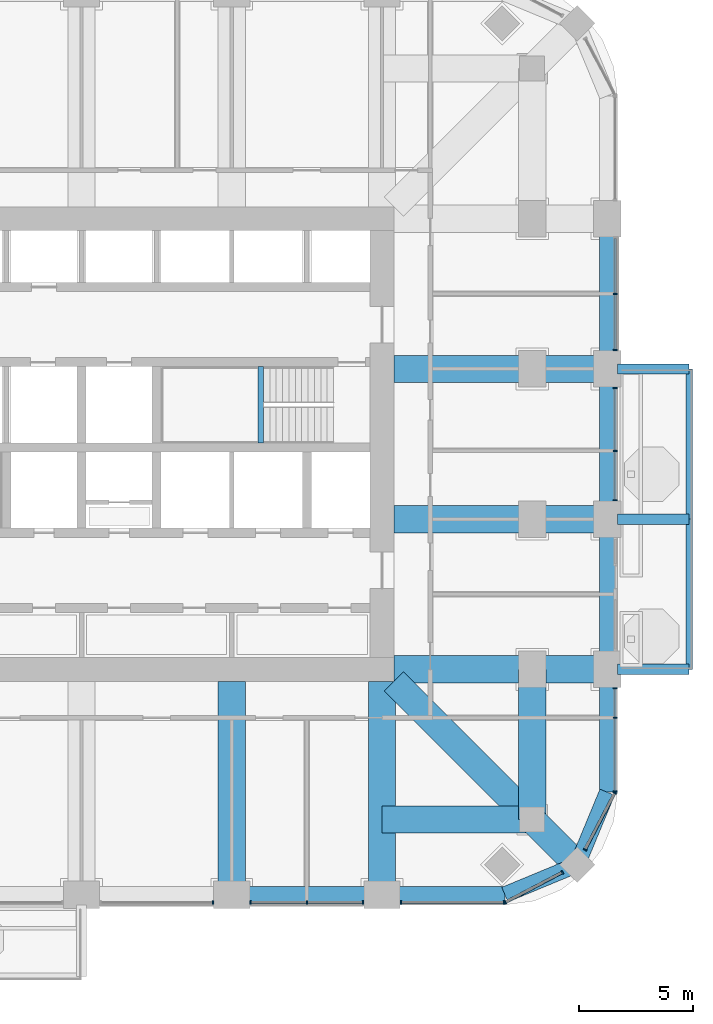
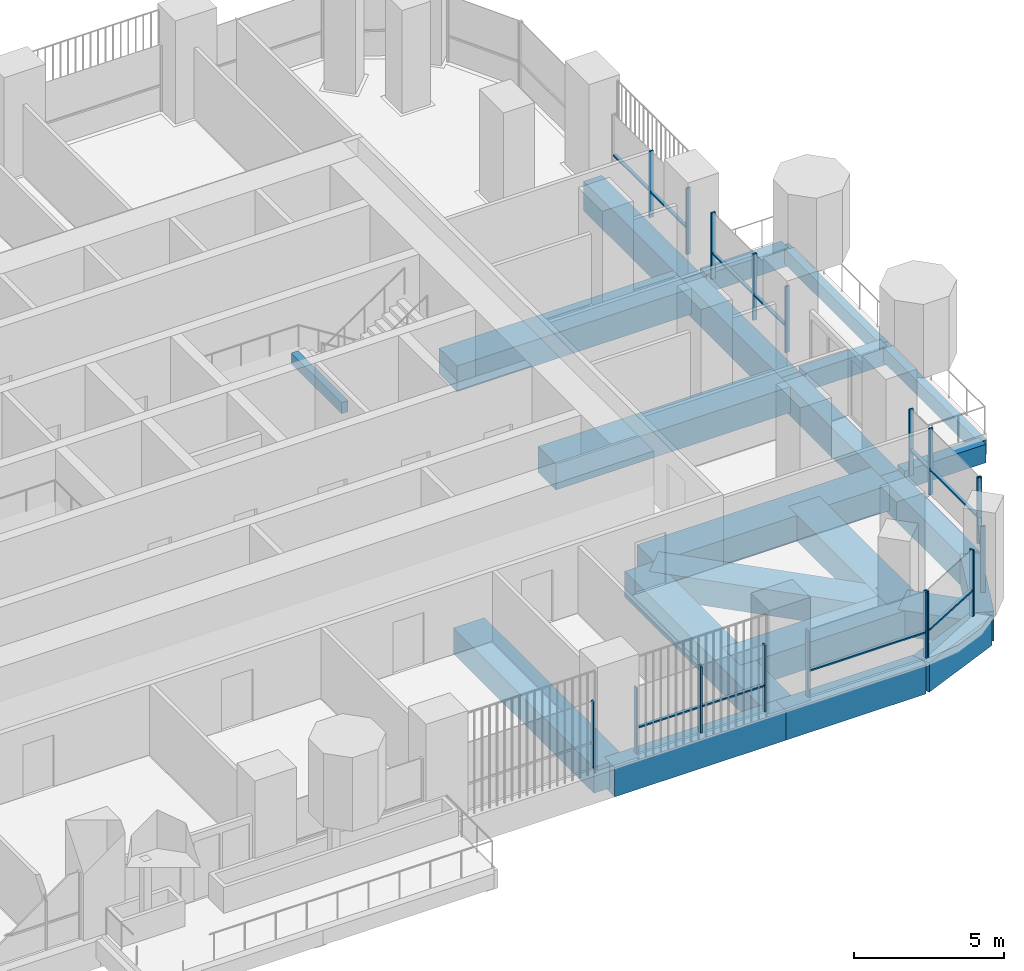
# One storey, part 5 of 20: 29 members, 23 beams, 8 elements without a shape of their own.
"""IFC4 building model written with IfcOpenShell, lengths in metres."""

from ifc_helpers import new_model, si_unit, direction, frame, origin, origin_2d, place, context, subcontext, project, spatial, rectangle, extrude, material, material_profile, profile_set, type_object, element, aggregate, save


model = new_model("IFC4")

# Units and contexts
model_context = context("Model", 3, precision=1e-05, world=origin(), true_north=direction((0.0, 1.0)))
body_context = subcontext(model_context, "Body", "Model", "MODEL_VIEW")
ifc_project = project(units=[si_unit("LENGTHUNIT", "METRE"), si_unit("AREAUNIT", "SQUARE_METRE"), si_unit("VOLUMEUNIT", "CUBIC_METRE"), si_unit("PLANEANGLEUNIT", "RADIAN"), si_unit("MASSUNIT", "GRAM", prefix="KILO")], contexts=[model_context])

# Site, building, storey
site_placement = place(None, origin())
site = spatial("IfcSite", under=ifc_project, at=site_placement, CompositionType="ELEMENT")
building_placement = place(site_placement, origin())
building = spatial("IfcBuilding", under=site, at=building_placement, Name="Cobogo Forest Laboratory Tower", CompositionType="ELEMENT")
storey_placement = place(building_placement, frame((0.0, 0.0, 185.10009765625)))
storey = spatial("IfcBuildingStorey", under=building, at=storey_placement, Name="L42", CompositionType="ELEMENT", Elevation=185.10009765625)

# Beams
ifc_material_1 = material(Name="Concrete HA-40 (C40/50)", Category="concrete")
ifc_material_profile_1 = material_profile(ifc_material_1, rectangle(XDim=0.449951171875, YDim=0.75, at=origin_2d()), Name="RC 450x750")
ifc_profile_set_1 = profile_set([ifc_material_profile_1], Name="Concrete HA-40 (C40/50)")
beam_type_1 = type_object("IfcBeamType", Name="Balcony cantilever beam 450x750", PredefinedType="BEAM", material=ifc_profile_set_1)
for number, where, z_axis, x_axis, name in (
    (1, (49.949951171875, 13.199951171875, -0.625), (1.0, 0.0, 0.0), (0.0, 1.0, 0.0), "CB1 BAL-E1-C1 L42"),
    (2, (49.949951171875, 19.800048828125, -0.625), (1.0, 0.0, 0.0), (0.0, 1.0, 0.0), "CB1 BAL-E1-C2 L42"),
    (3, (49.949951171875, 26.39990234375, -0.625), (1.0, 0.0, 0.0), (0.0, 1.0, 0.0), "CB1 BAL-E1-C3 L42"),
):
    element("IfcBeam", number, at=place(storey_placement, frame(where, z_axis=z_axis, x_axis=x_axis)), inside=storey, type_object=beam_type_1, Name=name, PredefinedType="BEAM", context=body_context, shape_type="SweptSolid", body=[
        extrude(rectangle(XDim=0.449951171875, YDim=0.75, at=origin_2d()), origin(), (0.0, 0.0, 1.0), 3.150146484375),
    ])
ifc_material_profile_2 = material_profile(ifc_material_1, rectangle(XDim=0.300048828125, YDim=0.60009765625, at=origin_2d()), Name="RC 300x600")
ifc_profile_set_2 = profile_set([ifc_material_profile_2], Name="Concrete HA-40 (C40/50)")
beam_type_2 = type_object("IfcBeamType", Name="Balcony edge beam 300x600", PredefinedType="BEAM", material=ifc_profile_set_2)
beam_1_placement = place(storey_placement, frame((53.10009765625, 13.199951171875, -0.550048828125), z_axis=(0.0, 1.0, 0.0), x_axis=(-1.0, 0.0, 0.0)))
element("IfcBeam", 4, at=beam_1_placement, inside=storey, type_object=beam_type_2, Name="BB1 BAL-E1-T1 L42", PredefinedType="BEAM", context=body_context, shape_type="SweptSolid", body=[
    extrude(rectangle(XDim=0.300048828125, YDim=0.60009765625, at=origin_2d()), origin(), (0.0, 0.0, 1.0), 6.60009765625),
])
beam_2_placement = place(storey_placement, frame((53.10009765625, 19.800048828125, -0.550048828125), z_axis=(0.0, 1.0, 0.0), x_axis=(-1.0, 0.0, 0.0)))
element("IfcBeam", 5, at=beam_2_placement, inside=storey, type_object=beam_type_2, Name="BB1 BAL-E1-T2 L42", PredefinedType="BEAM", context=body_context, shape_type="SweptSolid", body=[
    extrude(rectangle(XDim=0.300048828125, YDim=0.60009765625, at=origin_2d()), origin(), (0.0, 0.0, 1.0), 6.599853515625),
])
ifc_material_profile_3 = material_profile(ifc_material_1, rectangle(XDim=0.25, YDim=0.449951171875, at=origin_2d()), Name="RC 250x450")
ifc_profile_set_3 = profile_set([ifc_material_profile_3], Name="Concrete HA-40 (C40/50)")
beam_type_3 = type_object("IfcBeamType", Name="LB1 landing beam 250x450", PredefinedType="BEAM", material=ifc_profile_set_3)
beam_3_placement = place(storey_placement, frame((34.27001953125, 23.14990234375, 1.6748046875), z_axis=(0.0, 1.0, 0.0), x_axis=(-1.0, 0.0, 0.0)))
element("IfcBeam", 6, at=beam_3_placement, inside=storey, type_object=beam_type_3, Name="Landing beam ST2 L42", PredefinedType="BEAM", context=body_context, shape_type="SweptSolid", body=[
    extrude(rectangle(XDim=0.25, YDim=0.449951171875, at=origin_2d()), origin(), (0.0, 0.0, 1.0), 3.35009765625),
])
ifc_material_profile_4 = material_profile(ifc_material_1, rectangle(XDim=1.199951171875, YDim=1.050048828125, at=origin_2d()), Name="RC 1200x1050")
ifc_profile_set_4 = profile_set([ifc_material_profile_4], Name="Concrete HA-40 (C40/50)")
beam_type_4 = type_object("IfcBeamType", Name="Laboratory floor wide beam 1200x1050", PredefinedType="BEAM", material=ifc_profile_set_4)
for number, where, z_axis, x_axis, name in (
    (7, (33.0, 12.675048828125, -0.8251953125), (0.0, -1.0, 0.0), (1.0, 0.0, 0.0), "RB1 R-6-S L42"),
    (8, (39.60009765625, 12.675048828125, -0.8251953125), (0.0, -1.0, 0.0), (1.0, 0.0, 0.0), "RB1 R-7-S L42"),
    (9, (40.125, 13.199951171875, -0.8251953125), (1.0, 0.0, 0.0), (0.0, 1.0, 0.0), "RB1 R-C-E L42"),
    (10, (40.125, 19.800048828125, -0.8251953125), (1.0, 0.0, 0.0), (0.0, 1.0, 0.0), "RB1 R-D-E L42"),
    (11, (40.125, 26.39990234375, -0.8251953125), (1.0, 0.0, 0.0), (0.0, 1.0, 0.0), "RB1 R-E-E L42"),
):
    element("IfcBeam", number, at=place(storey_placement, frame(where, z_axis=z_axis, x_axis=x_axis)), inside=storey, type_object=beam_type_4, Name=name, PredefinedType="BEAM", context=body_context, shape_type="SweptSolid", body=[
        extrude(rectangle(XDim=1.199951171875, YDim=1.050048828125, at=origin_2d()), origin(), (0.0, 0.0, 1.0), 9.375),
    ])
for number, where, z_axis, x_axis, name in (
    (12, (46.199951171875, 6.60009765625, -0.8251953125), (0.0, 1.0, 0.0), (-1.0, 0.0, 0.0), "RB1 G-SE-XC L42"),
    (13, (46.199951171875, 6.60009765625, -0.8251953125), (-1.0, 0.0, 0.0), (0.0, -1.0, 0.0), "RB1 G-SE-YC L42"),
):
    element("IfcBeam", number, at=place(storey_placement, frame(where, z_axis=z_axis, x_axis=x_axis)), inside=storey, type_object=beam_type_4, Name=name, PredefinedType="BEAM", context=body_context, shape_type="SweptSolid", body=[
        extrude(rectangle(XDim=1.199951171875, YDim=1.050048828125, at=origin_2d()), origin(), (0.0, 0.0, 1.0), 6.599853515625),
    ])
beam_4_placement = place(storey_placement, frame((48.181884765625, 4.617919921875, -0.8251953125), z_axis=(-0.707063230743, 0.707150328948, 0.0), x_axis=(-0.707150328948, -0.707063230743, 0.0)))
element("IfcBeam", 14, at=beam_4_placement, inside=storey, type_object=beam_type_4, Name="RB1 G-SE-D1 L42", PredefinedType="BEAM", context=body_context, shape_type="SweptSolid", body=[
    extrude(rectangle(XDim=1.199951171875, YDim=1.050048828125, at=origin_2d()), origin(), (0.0, 0.0, 1.0), 2.802978515625),
])
beam_5_placement = place(storey_placement, frame((46.199951171875, 6.60009765625, -0.8251953125), z_axis=(-0.707106781187, 0.707106781187, 0.0), x_axis=(-0.707106781187, -0.707106781187, 0.0)))
element("IfcBeam", 15, at=beam_5_placement, inside=storey, type_object=beam_type_4, Name="RB1 G-SE-D2 L42", PredefinedType="BEAM", context=body_context, shape_type="SweptSolid", body=[
    extrude(rectangle(XDim=1.199951171875, YDim=1.050048828125, at=origin_2d()), origin(), (0.0, 0.0, 1.0), 8.59130859375),
])

# Curtain wall, member
ifc_material_2 = material(Name="Aluminium curtain wall", Category="aluminium")
curtain_wall_type = type_object("IfcCurtainWallType", Name="CW-2 unitised curtain wall, solar control glazing, laboratory floors zones C and D", PredefinedType="USERDEFINED", material=ifc_material_2)
curtain_wall_1_placement = place(storey_placement, origin())
curtain_wall_1 = element("IfcCurtainWall", 16, at=curtain_wall_1_placement, inside=storey, type_object=curtain_wall_type, Name="Curtain wall 04 L42", ObjectType="UNITISED CURTAIN WALL", PredefinedType="USERDEFINED")
ifc_material_3 = material(Name="Aluminium mullion", Category="aluminium")
ifc_material_profile_5 = material_profile(ifc_material_3, rectangle(XDim=0.06005859375, YDim=0.159912109375, at=origin_2d()), Name="AL 60x160")
ifc_profile_set_5 = profile_set([ifc_material_profile_5], Name="Aluminium mullion")
member_type_1 = type_object("IfcMemberType", Name="MU-1 aluminium mullion 60x160", PredefinedType="MULLION", material=ifc_profile_set_5)
member_1_placement = place(storey_placement, frame((32.169921875, 2.949951171875, 0.0), z_axis=(0.0, 0.0, 1.0), x_axis=(1.0, 0.0, 0.0)))
member_1 = element("IfcMember", 17, at=member_1_placement, type_object=member_type_1, Name="CW-2 mullion 2", PredefinedType="MULLION", context=body_context, shape_type="SweptSolid", body=[
    extrude(rectangle(XDim=0.06005859375, YDim=0.159912109375, at=origin_2d()), origin(), (0.0, 0.0, 1.0), 2.699951171875),
])
aggregate(curtain_wall_1, [member_1])

# Curtain wall, members
curtain_wall_2_placement = place(storey_placement, origin())
curtain_wall_2 = element("IfcCurtainWall", 18, at=curtain_wall_2_placement, inside=storey, type_object=curtain_wall_type, Name="Curtain wall 05 L42", ObjectType="UNITISED CURTAIN WALL", PredefinedType="USERDEFINED")
member_2_placement = place(storey_placement, frame((33.830078125, 2.949951171875, 0.0), z_axis=(0.0, 0.0, 1.0), x_axis=(1.0, 0.0, 0.0)))
member_2 = element("IfcMember", 19, at=member_2_placement, type_object=member_type_1, Name="CW-2 mullion 1", PredefinedType="MULLION", context=body_context, shape_type="SweptSolid", body=[
    extrude(rectangle(XDim=0.06005859375, YDim=0.159912109375, at=origin_2d()), origin(), (0.0, 0.0, 1.0), 2.699951171875),
])
member_3_placement = place(storey_placement, frame((36.300048828125, 2.949951171875, 0.0), z_axis=(0.0, 0.0, 1.0), x_axis=(1.0, 0.0, 0.0)))
member_3 = element("IfcMember", 20, at=member_3_placement, type_object=member_type_1, Name="CW-2 mullion 2", PredefinedType="MULLION", context=body_context, shape_type="SweptSolid", body=[
    extrude(rectangle(XDim=0.06005859375, YDim=0.159912109375, at=origin_2d()), origin(), (0.0, 0.0, 1.0), 2.699951171875),
])
member_4_placement = place(storey_placement, frame((38.77001953125, 2.949951171875, 0.0), z_axis=(0.0, 0.0, 1.0), x_axis=(1.0, 0.0, 0.0)))
member_4 = element("IfcMember", 21, at=member_4_placement, type_object=member_type_1, Name="CW-2 mullion 3", PredefinedType="MULLION", context=body_context, shape_type="SweptSolid", body=[
    extrude(rectangle(XDim=0.06005859375, YDim=0.159912109375, at=origin_2d()), origin(), (0.0, 0.0, 1.0), 2.699951171875),
])

curtain_wall_3_placement = place(storey_placement, origin())
curtain_wall_3 = element("IfcCurtainWall", 22, at=curtain_wall_3_placement, inside=storey, type_object=curtain_wall_type, Name="Curtain wall 06 L42", ObjectType="UNITISED CURTAIN WALL", PredefinedType="USERDEFINED")
member_5_placement = place(storey_placement, frame((40.429931640625, 2.949951171875, 0.0), z_axis=(0.0, 0.0, 1.0), x_axis=(1.0, 0.0, 0.0)))
member_5 = element("IfcMember", 23, at=member_5_placement, type_object=member_type_1, Name="CW-2 mullion 1", PredefinedType="MULLION", context=body_context, shape_type="SweptSolid", body=[
    extrude(rectangle(XDim=0.06005859375, YDim=0.159912109375, at=origin_2d()), origin(), (0.0, 0.0, 1.0), 2.699951171875),
])
member_6_placement = place(storey_placement, frame((44.969970703125, 2.949951171875, 0.0), z_axis=(0.0, 0.0, 1.0), x_axis=(1.0, 0.0, 0.0)))
member_6 = element("IfcMember", 24, at=member_6_placement, type_object=member_type_1, Name="CW-2 mullion 2", PredefinedType="MULLION", context=body_context, shape_type="SweptSolid", body=[
    extrude(rectangle(XDim=0.06005859375, YDim=0.159912109375, at=origin_2d()), origin(), (0.0, 0.0, 1.0), 2.699951171875),
])

curtain_wall_4_placement = place(storey_placement, origin())
curtain_wall_4 = element("IfcCurtainWall", 25, at=curtain_wall_4_placement, inside=storey, type_object=curtain_wall_type, Name="Curtain wall 07 L42", ObjectType="UNITISED CURTAIN WALL", PredefinedType="USERDEFINED")
member_7_placement = place(storey_placement, frame((45.026611328125, 2.9638671875, 0.0), z_axis=(0.0, 0.0, 1.0), x_axis=(0.885686484356, 0.464283804832, 0.0)))
member_7 = element("IfcMember", 26, at=member_7_placement, type_object=member_type_1, Name="CW-2 mullion 1", PredefinedType="MULLION", context=body_context, shape_type="SweptSolid", body=[
    extrude(rectangle(XDim=0.06005859375, YDim=0.159912109375, at=origin_2d()), origin(), (0.0, 0.0, 1.0), 2.699951171875),
])
member_8_placement = place(storey_placement, frame((47.5244140625, 4.2734375, 0.0), z_axis=(0.0, 0.0, 1.0), x_axis=(0.885686484356, 0.464283804832, 0.0)))
member_8 = element("IfcMember", 27, at=member_8_placement, type_object=member_type_1, Name="CW-2 mullion 2", PredefinedType="MULLION", context=body_context, shape_type="SweptSolid", body=[
    extrude(rectangle(XDim=0.06005859375, YDim=0.159912109375, at=origin_2d()), origin(), (0.0, 0.0, 1.0), 2.699951171875),
])

curtain_wall_5_placement = place(storey_placement, origin())
curtain_wall_5 = element("IfcCurtainWall", 28, at=curtain_wall_5_placement, inside=storey, type_object=curtain_wall_type, Name="Curtain wall 08 L42", ObjectType="UNITISED CURTAIN WALL", PredefinedType="USERDEFINED")
member_9_placement = place(storey_placement, frame((48.526611328125, 5.275634765625, 0.0), z_axis=(0.0, 0.0, 1.0), x_axis=(0.464283804832, 0.885686484356, 0.0)))
member_9 = element("IfcMember", 29, at=member_9_placement, type_object=member_type_1, Name="CW-2 mullion 1", PredefinedType="MULLION", context=body_context, shape_type="SweptSolid", body=[
    extrude(rectangle(XDim=0.06005859375, YDim=0.159912109375, at=origin_2d()), origin(), (0.0, 0.0, 1.0), 2.699951171875),
])
member_10_placement = place(storey_placement, frame((49.836181640625, 7.7734375, 0.0), z_axis=(0.0, 0.0, 1.0), x_axis=(0.464283804832, 0.885686484356, 0.0)))
member_10 = element("IfcMember", 30, at=member_10_placement, type_object=member_type_1, Name="CW-2 mullion 2", PredefinedType="MULLION", context=body_context, shape_type="SweptSolid", body=[
    extrude(rectangle(XDim=0.06005859375, YDim=0.159912109375, at=origin_2d()), origin(), (0.0, 0.0, 1.0), 2.699951171875),
])

curtain_wall_6_placement = place(storey_placement, origin())
curtain_wall_6 = element("IfcCurtainWall", 31, at=curtain_wall_6_placement, inside=storey, type_object=curtain_wall_type, Name="Curtain wall 09 L42", ObjectType="UNITISED CURTAIN WALL", PredefinedType="USERDEFINED")
member_11_placement = place(storey_placement, frame((49.85009765625, 7.830078125, 0.0), z_axis=(0.0, 0.0, 1.0), x_axis=(0.0, 1.0, 0.0)))
member_11 = element("IfcMember", 32, at=member_11_placement, type_object=member_type_1, Name="CW-2 mullion 1", PredefinedType="MULLION", context=body_context, shape_type="SweptSolid", body=[
    extrude(rectangle(XDim=0.06005859375, YDim=0.159912109375, at=origin_2d()), origin(), (0.0, 0.0, 1.0), 2.699951171875),
])
member_12_placement = place(storey_placement, frame((49.85009765625, 11.074951171875, 0.0), z_axis=(0.0, 0.0, 1.0), x_axis=(0.0, 1.0, 0.0)))
member_12 = element("IfcMember", 33, at=member_12_placement, type_object=member_type_1, Name="CW-2 mullion 2", PredefinedType="MULLION", context=body_context, shape_type="SweptSolid", body=[
    extrude(rectangle(XDim=0.06005859375, YDim=0.159912109375, at=origin_2d()), origin(), (0.0, 0.0, 1.0), 2.699951171875),
])
member_13_placement = place(storey_placement, frame((49.85009765625, 12.3701171875, 0.0), z_axis=(0.0, 0.0, 1.0), x_axis=(0.0, 1.0, 0.0)))
member_13 = element("IfcMember", 34, at=member_13_placement, type_object=member_type_1, Name="CW-2 mullion 3", PredefinedType="MULLION", context=body_context, shape_type="SweptSolid", body=[
    extrude(rectangle(XDim=0.06005859375, YDim=0.159912109375, at=origin_2d()), origin(), (0.0, 0.0, 1.0), 2.699951171875),
])

curtain_wall_7_placement = place(storey_placement, origin())
curtain_wall_7 = element("IfcCurtainWall", 35, at=curtain_wall_7_placement, inside=storey, type_object=curtain_wall_type, Name="Curtain wall 11 L42", ObjectType="UNITISED CURTAIN WALL", PredefinedType="USERDEFINED")
member_14_placement = place(storey_placement, frame((49.85009765625, 20.6298828125, 0.0), z_axis=(0.0, 0.0, 1.0), x_axis=(0.0, 1.0, 0.0)))
member_14 = element("IfcMember", 36, at=member_14_placement, type_object=member_type_1, Name="CW-2 mullion 1", PredefinedType="MULLION", context=body_context, shape_type="SweptSolid", body=[
    extrude(rectangle(XDim=0.06005859375, YDim=0.159912109375, at=origin_2d()), origin(), (0.0, 0.0, 1.0), 2.699951171875),
])
member_15_placement = place(storey_placement, frame((49.85009765625, 22.800048828125, 0.0), z_axis=(0.0, 0.0, 1.0), x_axis=(0.0, 1.0, 0.0)))
member_15 = element("IfcMember", 37, at=member_15_placement, type_object=member_type_1, Name="CW-2 mullion 2", PredefinedType="MULLION", context=body_context, shape_type="SweptSolid", body=[
    extrude(rectangle(XDim=0.06005859375, YDim=0.159912109375, at=origin_2d()), origin(), (0.0, 0.0, 1.0), 2.699951171875),
])
member_16_placement = place(storey_placement, frame((49.85009765625, 25.570068359375, 0.0), z_axis=(0.0, 0.0, 1.0), x_axis=(0.0, 1.0, 0.0)))
member_16 = element("IfcMember", 38, at=member_16_placement, type_object=member_type_1, Name="CW-2 mullion 3", PredefinedType="MULLION", context=body_context, shape_type="SweptSolid", body=[
    extrude(rectangle(XDim=0.06005859375, YDim=0.159912109375, at=origin_2d()), origin(), (0.0, 0.0, 1.0), 2.699951171875),
])

curtain_wall_8_placement = place(storey_placement, origin())
curtain_wall_8 = element("IfcCurtainWall", 39, at=curtain_wall_8_placement, inside=storey, type_object=curtain_wall_type, Name="Curtain wall 12 L42", ObjectType="UNITISED CURTAIN WALL", PredefinedType="USERDEFINED")
member_17_placement = place(storey_placement, frame((49.85009765625, 27.22998046875, 0.0), z_axis=(0.0, 0.0, 1.0), x_axis=(0.0, 1.0, 0.0)))
member_17 = element("IfcMember", 40, at=member_17_placement, type_object=member_type_1, Name="CW-2 mullion 1", PredefinedType="MULLION", context=body_context, shape_type="SweptSolid", body=[
    extrude(rectangle(XDim=0.06005859375, YDim=0.159912109375, at=origin_2d()), origin(), (0.0, 0.0, 1.0), 2.699951171875),
])
member_18_placement = place(storey_placement, frame((49.85009765625, 29.699951171875, 0.0), z_axis=(0.0, 0.0, 1.0), x_axis=(0.0, 1.0, 0.0)))
member_18 = element("IfcMember", 41, at=member_18_placement, type_object=member_type_1, Name="CW-2 mullion 2", PredefinedType="MULLION", context=body_context, shape_type="SweptSolid", body=[
    extrude(rectangle(XDim=0.06005859375, YDim=0.159912109375, at=origin_2d()), origin(), (0.0, 0.0, 1.0), 2.699951171875),
])

# Beams
ifc_material_profile_6 = material_profile(ifc_material_1, rectangle(XDim=0.699951171875, YDim=1.199951171875, at=origin_2d()), Name="RC 700x1200")
ifc_profile_set_6 = profile_set([ifc_material_profile_6], Name="Concrete HA-40 (C40/50)")
beam_type_5 = type_object("IfcBeamType", Name="Perimeter edge beam 700x1200", PredefinedType="BEAM", material=ifc_profile_set_6)
for number, where, z_axis, x_axis, name in (
    (42, (33.0, 3.300048828125, -0.900146484375), (1.0, 0.0, 0.0), (0.0, 1.0, 0.0), "EB1 E-S4 L42"),
    (43, (49.5, 13.199951171875, -0.900146484375), (0.0, 1.0, 0.0), (-1.0, 0.0, 0.0), "EB1 E-E1 L42"),
):
    element("IfcBeam", number, at=place(storey_placement, frame(where, z_axis=z_axis, x_axis=x_axis)), inside=storey, type_object=beam_type_5, Name=name, PredefinedType="BEAM", context=body_context, shape_type="SweptSolid", body=[
        extrude(rectangle(XDim=0.699951171875, YDim=1.199951171875, at=origin_2d()), origin(), (0.0, 0.0, 1.0), 6.60009765625),
    ])
beam_6_placement = place(storey_placement, frame((49.5, 19.800048828125, -0.900146484375), z_axis=(0.0, 1.0, 0.0), x_axis=(-1.0, 0.0, 0.0)))
element("IfcBeam", 44, at=beam_6_placement, inside=storey, type_object=beam_type_5, Name="EB1 E-E2 L42", PredefinedType="BEAM", context=body_context, shape_type="SweptSolid", body=[
    extrude(rectangle(XDim=0.699951171875, YDim=1.199951171875, at=origin_2d()), origin(), (0.0, 0.0, 1.0), 6.599853515625),
])
beam_7_placement = place(storey_placement, frame((49.5, 26.39990234375, -0.900146484375), z_axis=(0.0, 1.0, 0.0), x_axis=(-1.0, 0.0, 0.0)))
element("IfcBeam", 45, at=beam_7_placement, inside=storey, type_object=beam_type_5, Name="EB1 E-E3 L42", PredefinedType="BEAM", context=body_context, shape_type="SweptSolid", body=[
    extrude(rectangle(XDim=0.699951171875, YDim=1.199951171875, at=origin_2d()), origin(), (0.0, 0.0, 1.0), 6.60009765625),
])
beam_8_placement = place(storey_placement, frame((39.60009765625, 3.300048828125, -0.900146484375), z_axis=(1.0, 0.0, 0.0), x_axis=(0.0, 1.0, 0.0)))
element("IfcBeam", 46, at=beam_8_placement, inside=storey, type_object=beam_type_5, Name="EB1 E-SES1 L42", PredefinedType="BEAM", context=body_context, shape_type="SweptSolid", body=[
    extrude(rectangle(XDim=0.699951171875, YDim=1.199951171875, at=origin_2d()), origin(), (0.0, 0.0, 1.0), 5.39990234375),
])
beam_9_placement = place(storey_placement, frame((45.0, 3.300048828125, -0.900146484375), z_axis=(0.923890694089, 0.382656484822, 0.0), x_axis=(-0.382656484822, 0.923890694089, 0.0)))
element("IfcBeam", 47, at=beam_9_placement, inside=storey, type_object=beam_type_5, Name="EB1 E-SES2 L42", PredefinedType="BEAM", context=body_context, shape_type="SweptSolid", body=[
    extrude(rectangle(XDim=0.699951171875, YDim=1.199951171875, at=origin_2d()), origin(), (0.0, 0.0, 1.0), 3.444091796875),
])
beam_10_placement = place(storey_placement, frame((49.5, 13.199951171875, -0.900146484375), z_axis=(0.0, -1.0, 0.0), x_axis=(1.0, 0.0, 0.0)))
element("IfcBeam", 48, at=beam_10_placement, inside=storey, type_object=beam_type_5, Name="EB1 E-SEE1 L42", PredefinedType="BEAM", context=body_context, shape_type="SweptSolid", body=[
    extrude(rectangle(XDim=0.699951171875, YDim=1.199951171875, at=origin_2d()), origin(), (0.0, 0.0, 1.0), 5.39990234375),
])
beam_11_placement = place(storey_placement, frame((49.5, 7.800048828125, -0.900146484375), z_axis=(-0.382691928466, -0.923876013265, 0.0), x_axis=(0.923876013265, -0.382691928466, 0.0)))
element("IfcBeam", 49, at=beam_11_placement, inside=storey, type_object=beam_type_5, Name="EB1 E-SEE2 L42", PredefinedType="BEAM", context=body_context, shape_type="SweptSolid", body=[
    extrude(rectangle(XDim=0.699951171875, YDim=1.199951171875, at=origin_2d()), origin(), (0.0, 0.0, 1.0), 3.4443359375),
])

# Member
ifc_material_4 = material(Name="Aluminium transom", Category="aluminium")
ifc_material_profile_7 = material_profile(ifc_material_4, rectangle(XDim=0.1201171875, YDim=0.06005859375, at=origin_2d()), Name="AL 60x120")
ifc_profile_set_7 = profile_set([ifc_material_profile_7], Name="Aluminium transom")
member_type_2 = type_object("IfcMemberType", Name="TR-1 aluminium transom 60x120", PredefinedType="USERDEFINED", material=ifc_profile_set_7)
member_19_placement = place(storey_placement, frame((33.860107421875, 2.949951171875, 1.0498046875), z_axis=(1.0, 0.0, 0.0), x_axis=(0.0, 1.0, 0.0)))
member_19 = element("IfcMember", 50, at=member_19_placement, type_object=member_type_2, Name="CW-2 transom 1.1", ObjectType="TRANSOM", PredefinedType="USERDEFINED", context=body_context, shape_type="SweptSolid", body=[
    extrude(rectangle(XDim=0.1201171875, YDim=0.06005859375, at=origin_2d()), origin(), (0.0, 0.0, 1.0), 2.409912109375),
])

member_20_placement = place(storey_placement, frame((36.330078125, 2.949951171875, 1.0498046875), z_axis=(1.0, 0.0, 0.0), x_axis=(0.0, 1.0, 0.0)))
member_20 = element("IfcMember", 51, at=member_20_placement, type_object=member_type_2, Name="CW-2 transom 2.1", ObjectType="TRANSOM", PredefinedType="USERDEFINED", context=body_context, shape_type="SweptSolid", body=[
    extrude(rectangle(XDim=0.1201171875, YDim=0.06005859375, at=origin_2d()), origin(), (0.0, 0.0, 1.0), 2.409912109375),
])

aggregate(curtain_wall_2, [member_2, member_3, member_4, member_19, member_20])

member_21_placement = place(storey_placement, frame((40.4599609375, 2.949951171875, 1.0498046875), z_axis=(1.0, 0.0, 0.0), x_axis=(0.0, 1.0, 0.0)))
member_21 = element("IfcMember", 52, at=member_21_placement, type_object=member_type_2, Name="CW-2 transom 1.1", ObjectType="TRANSOM", PredefinedType="USERDEFINED", context=body_context, shape_type="SweptSolid", body=[
    extrude(rectangle(XDim=0.1201171875, YDim=0.06005859375, at=origin_2d()), origin(), (0.0, 0.0, 1.0), 4.47998046875),
])

aggregate(curtain_wall_3, [member_5, member_6, member_21])

member_22_placement = place(storey_placement, frame((45.05322265625, 2.977783203125, 1.0498046875), z_axis=(0.885646224078, 0.464360598863, 0.0), x_axis=(-0.464360598863, 0.885646224078, 0.0)))
member_22 = element("IfcMember", 53, at=member_22_placement, type_object=member_type_2, Name="CW-2 transom 1.1", ObjectType="TRANSOM", PredefinedType="USERDEFINED", context=body_context, shape_type="SweptSolid", body=[
    extrude(rectangle(XDim=0.1201171875, YDim=0.06005859375, at=origin_2d()), origin(), (0.0, 0.0, 1.0), 2.76025390625),
])

aggregate(curtain_wall_4, [member_7, member_8, member_22])

member_23_placement = place(storey_placement, frame((48.54052734375, 5.302001953125, 1.0498046875), z_axis=(0.464254846591, 0.88570166389, 0.0), x_axis=(-0.88570166389, 0.464254846591, 0.0)))
member_23 = element("IfcMember", 54, at=member_23_placement, type_object=member_type_2, Name="CW-2 transom 1.1", ObjectType="TRANSOM", PredefinedType="USERDEFINED", context=body_context, shape_type="SweptSolid", body=[
    extrude(rectangle(XDim=0.1201171875, YDim=0.06005859375, at=origin_2d()), origin(), (0.0, 0.0, 1.0), 2.76025390625),
])

aggregate(curtain_wall_5, [member_9, member_10, member_23])

member_24_placement = place(storey_placement, frame((49.85009765625, 7.860107421875, 1.0498046875), z_axis=(0.0, 1.0, 0.0), x_axis=(-1.0, 0.0, 0.0)))
member_24 = element("IfcMember", 55, at=member_24_placement, type_object=member_type_2, Name="CW-2 transom 1.1", ObjectType="TRANSOM", PredefinedType="USERDEFINED", context=body_context, shape_type="SweptSolid", body=[
    extrude(rectangle(XDim=0.1201171875, YDim=0.06005859375, at=origin_2d()), origin(), (0.0, 0.0, 1.0), 3.184814453125),
])

member_25_placement = place(storey_placement, frame((49.85009765625, 11.10498046875, 1.0498046875), z_axis=(0.0, 1.0, 0.0), x_axis=(-1.0, 0.0, 0.0)))
member_25 = element("IfcMember", 56, at=member_25_placement, type_object=member_type_2, Name="CW-2 transom 2.1", ObjectType="TRANSOM", PredefinedType="USERDEFINED", context=body_context, shape_type="SweptSolid", body=[
    extrude(rectangle(XDim=0.1201171875, YDim=0.06005859375, at=origin_2d()), origin(), (0.0, 0.0, 1.0), 1.235107421875),
])

aggregate(curtain_wall_6, [member_11, member_12, member_13, member_24, member_25])

member_26_placement = place(storey_placement, frame((49.85009765625, 20.659912109375, 1.0498046875), z_axis=(0.0, 1.0, 0.0), x_axis=(-1.0, 0.0, 0.0)))
member_26 = element("IfcMember", 57, at=member_26_placement, type_object=member_type_2, Name="CW-2 transom 1.1", ObjectType="TRANSOM", PredefinedType="USERDEFINED", context=body_context, shape_type="SweptSolid", body=[
    extrude(rectangle(XDim=0.1201171875, YDim=0.06005859375, at=origin_2d()), origin(), (0.0, 0.0, 1.0), 2.110107421875),
])

member_27_placement = place(storey_placement, frame((49.85009765625, 22.830078125, 1.0498046875), z_axis=(0.0, 1.0, 0.0), x_axis=(-1.0, 0.0, 0.0)))
member_27 = element("IfcMember", 58, at=member_27_placement, type_object=member_type_2, Name="CW-2 transom 2.1", ObjectType="TRANSOM", PredefinedType="USERDEFINED", context=body_context, shape_type="SweptSolid", body=[
    extrude(rectangle(XDim=0.1201171875, YDim=0.06005859375, at=origin_2d()), origin(), (0.0, 0.0, 1.0), 2.7099609375),
])

aggregate(curtain_wall_7, [member_14, member_15, member_16, member_26, member_27])

member_28_placement = place(storey_placement, frame((49.85009765625, 27.260009765625, 1.0498046875), z_axis=(0.0, 1.0, 0.0), x_axis=(-1.0, 0.0, 0.0)))
member_28 = element("IfcMember", 59, at=member_28_placement, type_object=member_type_2, Name="CW-2 transom 1.1", ObjectType="TRANSOM", PredefinedType="USERDEFINED", context=body_context, shape_type="SweptSolid", body=[
    extrude(rectangle(XDim=0.1201171875, YDim=0.06005859375, at=origin_2d()), origin(), (0.0, 0.0, 1.0), 2.409912109375),
])

member_29_placement = place(storey_placement, frame((49.85009765625, 29.72998046875, 1.0498046875), z_axis=(0.0, 1.0, 0.0), x_axis=(-1.0, 0.0, 0.0)))
member_29 = element("IfcMember", 60, at=member_29_placement, type_object=member_type_2, Name="CW-2 transom 2.1", ObjectType="TRANSOM", PredefinedType="USERDEFINED", context=body_context, shape_type="SweptSolid", body=[
    extrude(rectangle(XDim=0.1201171875, YDim=0.06005859375, at=origin_2d()), origin(), (0.0, 0.0, 1.0), 2.409912109375),
])

aggregate(curtain_wall_8, [member_17, member_18, member_28, member_29])

save(model, "model.ifc")
